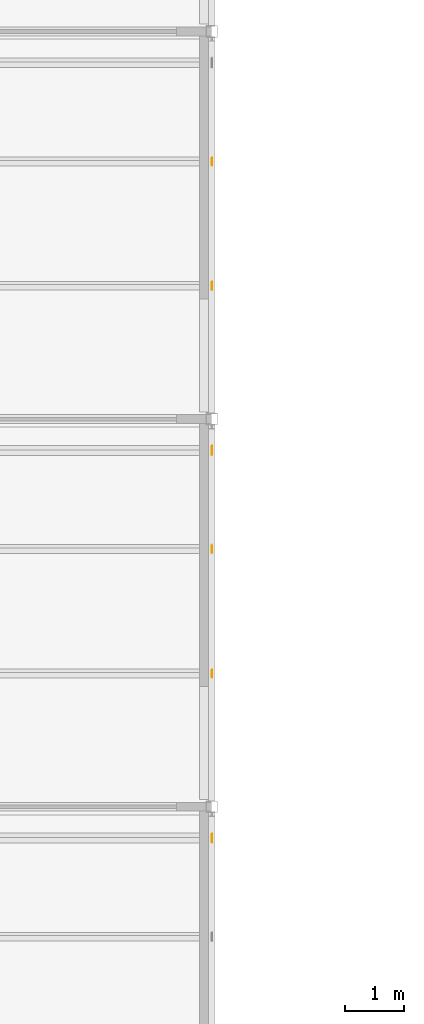
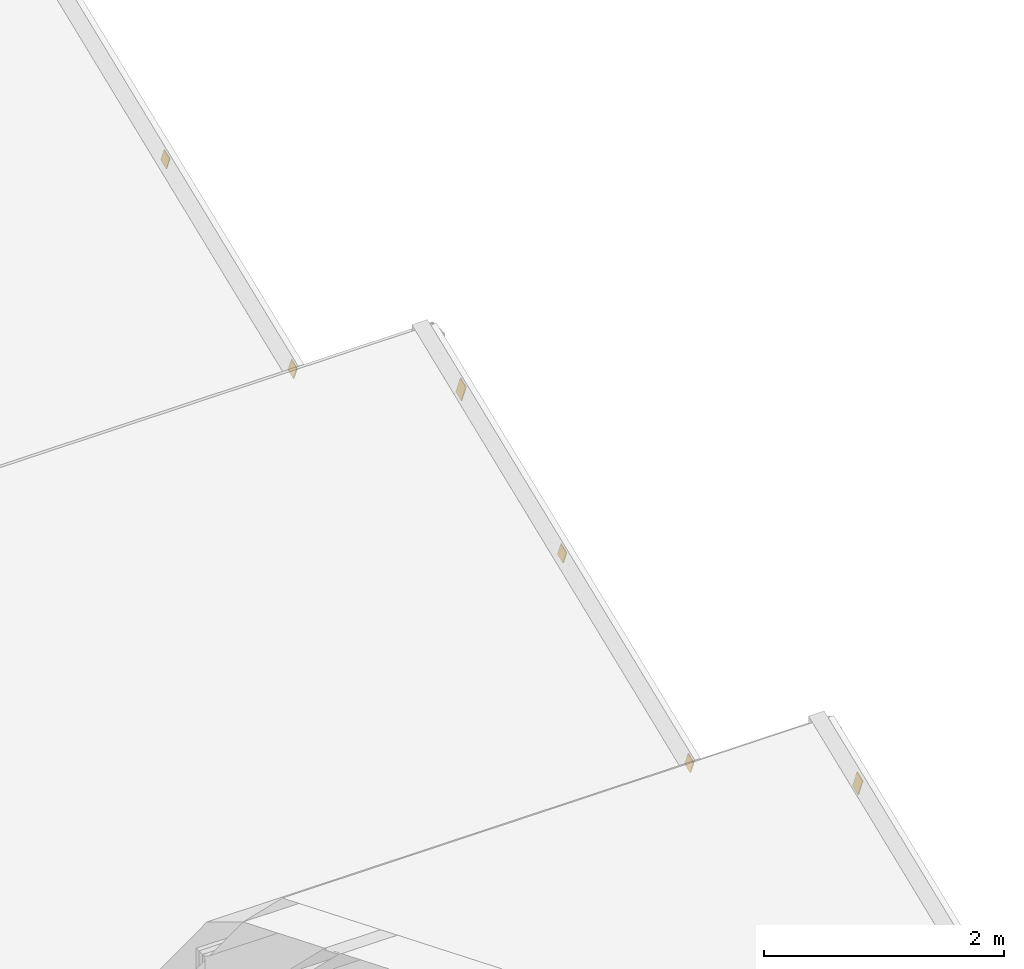
# One storey, part 105 of 109: 6 coverings.
"""IFC4 building model written with IfcOpenShell, lengths in metres."""

from ifc_helpers import new_model, si_unit, direction, frame, origin, place, context, subcontext, project, spatial, polyline, outline, extrude, material, material_profile, profile_set, type_object, element, save


model = new_model("IFC4")

# Units and contexts
model_context = context("Model", 3, precision=1e-05, world=origin(), true_north=direction((0.0, 1.0)))
body_context = subcontext(model_context, "Body", "Model", "MODEL_VIEW")
ifc_project = project(units=[si_unit("LENGTHUNIT", "METRE"), si_unit("AREAUNIT", "SQUARE_METRE"), si_unit("VOLUMEUNIT", "CUBIC_METRE"), si_unit("PLANEANGLEUNIT", "RADIAN"), si_unit("MASSUNIT", "GRAM", prefix="KILO")], contexts=[model_context])

# Site, building, storey
site_placement = place(None, origin())
site = spatial("IfcSite", under=ifc_project, at=site_placement, CompositionType="ELEMENT")
building_placement = place(site_placement, origin())
building = spatial("IfcBuilding", under=site, at=building_placement, Name="Lantern Court Research Institute", CompositionType="ELEMENT")
storey_placement = place(building_placement, frame((0.0, 0.0, 14.39990234375)))
storey = spatial("IfcBuildingStorey", under=building, at=storey_placement, Name="L03", CompositionType="ELEMENT", Elevation=14.39990234375)

# Coverings
ifc_material_1 = material(Name="Structural steel S355", Category="steel")
ifc_material_profile_1 = material_profile(ifc_material_1, outline(polyline([(-0.050048828125, -0.074951171875), (0.050048828125, -0.074951171875), (0.050048828125, 0.074951171875), (-0.050048828125, 0.074951171875), (-0.050048828125, -0.074951171875)])), Name="Purlin end cap 150 x 100 x 10")
ifc_profile_set_1 = profile_set([ifc_material_profile_1], Name="Structural steel S355")
covering_type_1 = type_object("IfcCoveringType", Name="Purlin end cap 150 x 100 x 10", PredefinedType="MOLDING", material=ifc_profile_set_1)
for number, where, z_axis, x_axis, name in (
    (1, (26.39990234375, 58.36962890625, 1.0478515625), (1.0, 0.0, 0.0), (0.0, 0.928476694038, 0.371390668473), "Purlin end cap"),
    (2, (26.39990234375, 60.486083984375, 1.89453125), (1.0, 0.0, 0.0), (0.0, 0.928476694038, 0.371390668473), "Purlin end cap"),
    (3, (26.39990234375, 64.969482421875, 1.0478515625), (1.0, 0.0, 0.0), (0.0, 0.928476694038, 0.371390668473), "Purlin end cap"),
    (4, (26.39990234375, 67.086181640625, 1.89453125), (1.0, 0.0, 0.0), (0.0, 0.928476694038, 0.371390668473), "Purlin end cap"),
):
    element("IfcCovering", number, at=place(storey_placement, frame(where, z_axis=z_axis, x_axis=x_axis)), inside=storey, type_object=covering_type_1, Name=name, PredefinedType="MOLDING", context=body_context, shape_type="SweptSolid", body=[
        extrude(outline(polyline([(-0.050048828125, -0.074951171875), (0.050048828125, -0.074951171875), (0.050048828125, 0.074951171875), (-0.050048828125, 0.074951171875), (-0.050048828125, -0.074951171875)])), origin(), (0.0, 0.0, 1.0), 0.010009765625),
    ])
ifc_material_2 = material(Name="Structural steel S355", Category="steel")
ifc_material_profile_2 = material_profile(ifc_material_2, outline(polyline([(-0.050048828125, -0.10009765625), (0.050048828125, -0.10009765625), (0.050048828125, 0.10009765625), (-0.050048828125, 0.10009765625), (-0.050048828125, -0.10009765625)])), Name="Purlin end cap 200 x 100 x 10")
ifc_profile_set_2 = profile_set([ifc_material_profile_2], Name="Structural steel S355")
covering_type_2 = type_object("IfcCoveringType", Name="Purlin end cap 200 x 100 x 10", PredefinedType="MOLDING", material=ifc_profile_set_2)
for number, where, z_axis, x_axis, name in (
    (5, (26.39990234375, 55.567626953125, 2.540283203125), (1.0, 0.0, 0.0), (0.0, 0.928476694038, 0.371390668473), "Purlin end cap"),
    (6, (26.39990234375, 62.167724609375, 2.540283203125), (1.0, 0.0, 0.0), (0.0, 0.928476694038, 0.371390668473), "Purlin end cap"),
):
    element("IfcCovering", number, at=place(storey_placement, frame(where, z_axis=z_axis, x_axis=x_axis)), inside=storey, type_object=covering_type_2, Name=name, PredefinedType="MOLDING", context=body_context, shape_type="SweptSolid", body=[
        extrude(outline(polyline([(-0.050048828125, -0.10009765625), (0.050048828125, -0.10009765625), (0.050048828125, 0.10009765625), (-0.050048828125, 0.10009765625), (-0.050048828125, -0.10009765625)])), origin(), (0.0, 0.0, 1.0), 0.010009765625),
    ])

save(model, "model.ifc")
